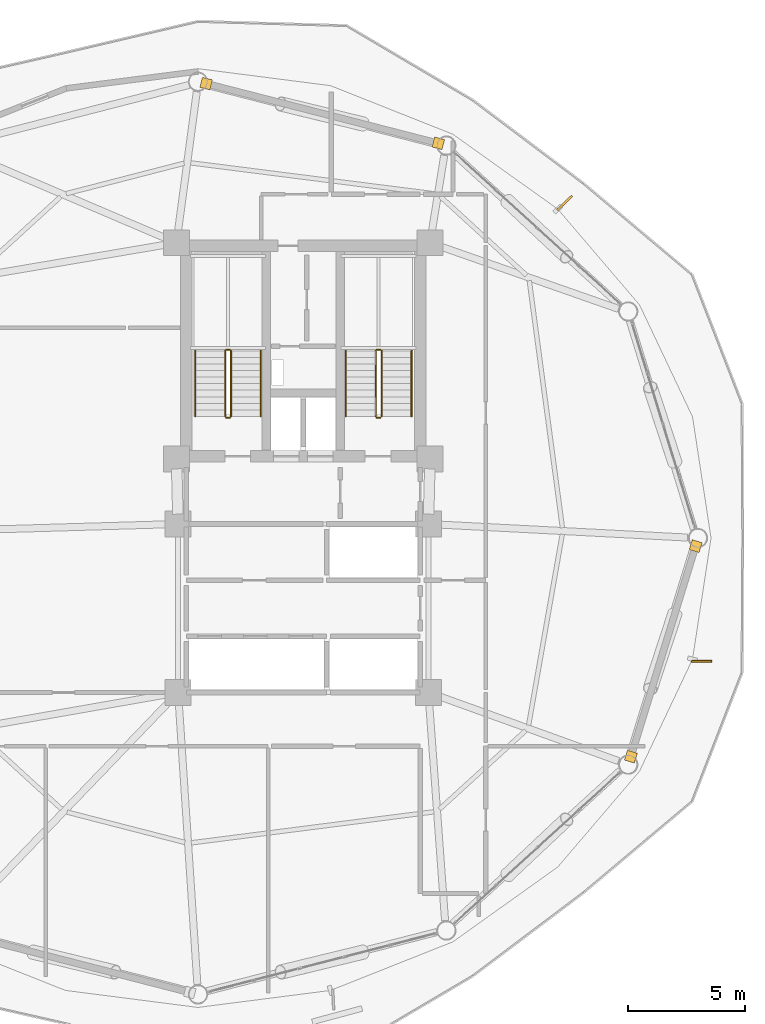
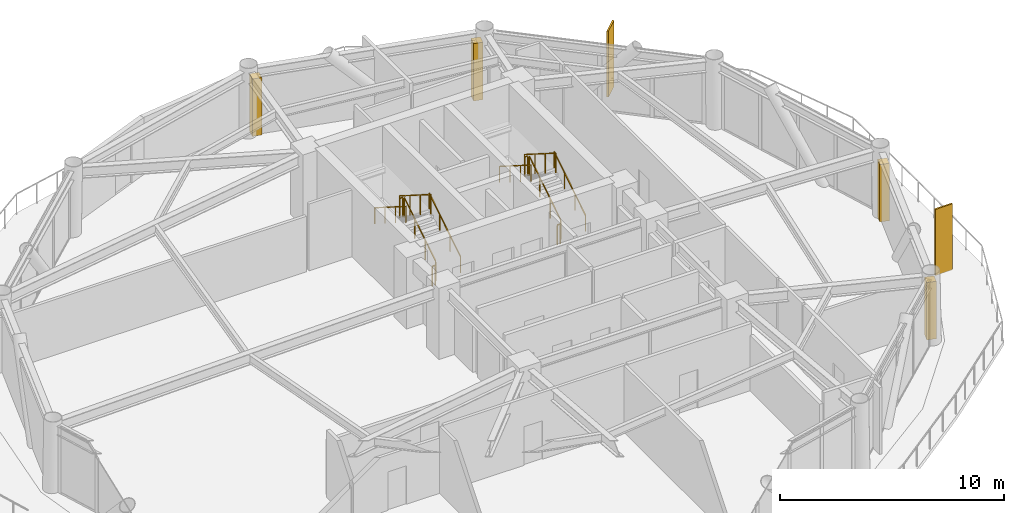
# One storey, part 23 of 23: 12 railings, 4 coverings, 2 shading devices.
"""IFC4 building model written with IfcOpenShell, lengths in metres."""

from ifc_helpers import new_model, si_unit, direction, frame, origin, origin_2d, place, context, subcontext, project, spatial, rectangle, extrude, source, transform, mapped, material, layer, layer_set, type_object, type_shapes, element, save


model = new_model("IFC4")

# Units and contexts
model_context = context("Model", 3, precision=1e-05, world=origin(), true_north=direction((0.0, 1.0)))
body_context = subcontext(model_context, "Body", "Model", "MODEL_VIEW")
ifc_project = project(units=[si_unit("LENGTHUNIT", "METRE"), si_unit("AREAUNIT", "SQUARE_METRE"), si_unit("VOLUMEUNIT", "CUBIC_METRE"), si_unit("PLANEANGLEUNIT", "RADIAN"), si_unit("MASSUNIT", "GRAM", prefix="KILO")], contexts=[model_context])

# Site, building, storey
site_placement = place(None, origin())
site = spatial("IfcSite", under=ifc_project, at=site_placement, CompositionType="ELEMENT")
building_placement = place(site_placement, origin())
building = spatial("IfcBuilding", under=site, at=building_placement, Name="Varnakorn Sky Granary", CompositionType="ELEMENT")
storey_placement = place(building_placement, frame((0.0, 0.0, 114.89990234375)))
storey = spatial("IfcBuildingStorey", under=building, at=storey_placement, Name="L28", CompositionType="ELEMENT", Elevation=114.89990234375)

# Railings
ifc_material_1 = material(Name="Brushed Stainless Steel 316", Category="steel")
railing_type_1 = type_object("IfcRailingType", Name="RL-STAIR-1100", PredefinedType="GUARDRAIL", material=ifc_material_1)
railing_1_placement = place(storey_placement, frame((-0.090087890625, 5.199951171875, 0.177490234375)))
element("IfcRailing", 1, at=railing_1_placement, inside=storey, type_object=railing_type_1, Name="L28 ST-1 stair guard 1", PredefinedType="GUARDRAIL", context=body_context, shape_type="SweptSolid", body=[
    extrude(rectangle(XDim=0.048095703125, YDim=0.048095703125, at=origin_2d()), frame((0.0, 0.0, 1.076171875), z_axis=(0.0, 0.844908973607, 0.534910110503), x_axis=(-1.0, 0.0, 0.0)), (0.0, 0.0, 1.0), 3.31396484375),
    extrude(rectangle(XDim=0.0419921875, YDim=0.0419921875, at=origin_2d()), origin(), (0.0, 0.0, 1.0), 1.048095703125),
    extrude(rectangle(XDim=0.0419921875, YDim=0.0419921875, at=origin_2d()), frame((0.0, 0.933349609375, 0.5908203125)), (0.0, 0.0, 1.0), 1.048095703125),
    extrude(rectangle(XDim=0.0419921875, YDim=0.0419921875, at=origin_2d()), frame((0.0, 1.86669921875, 1.181884765625)), (0.0, 0.0, 1.0), 1.048095703125),
    extrude(rectangle(XDim=0.0419921875, YDim=0.0419921875, at=origin_2d()), frame((0.0, 2.800048828125, 1.772705078125)), (0.0, 0.0, 1.0), 1.048095703125),
])
railing_2_placement = place(storey_placement, frame((-0.139892578125, 8.050048828125, 1.9501953125)))
element("IfcRailing", 2, at=railing_2_placement, inside=storey, type_object=railing_type_1, Name="L28 ST-1 stair guard 2", PredefinedType="GUARDRAIL", context=body_context, shape_type="SweptSolid", body=[
    extrude(rectangle(XDim=0.048095703125, YDim=0.048095703125, at=origin_2d()), frame((0.0, 0.0, 1.076171875), z_axis=(-1.0, 0.0, 0.0), x_axis=(0.0, -1.0, 0.0)), (0.0, 0.0, 1.0), 0.150146484375),
    extrude(rectangle(XDim=0.0419921875, YDim=0.0419921875, at=origin_2d()), origin(), (0.0, 0.0, 1.0), 1.048095703125),
    extrude(rectangle(XDim=0.0419921875, YDim=0.0419921875, at=origin_2d()), frame((-0.150146484375, 0.0, 0.0)), (0.0, 0.0, 1.0), 1.048095703125),
])
railing_3_placement = place(storey_placement, frame((-0.340087890625, 8.0, 2.12744140625)))
element("IfcRailing", 3, at=railing_3_placement, inside=storey, type_object=railing_type_1, Name="L28 ST-1 stair guard 3", PredefinedType="GUARDRAIL", context=body_context, shape_type="SweptSolid", body=[
    extrude(rectangle(XDim=0.048095703125, YDim=0.048095703125, at=origin_2d()), frame((0.0, 0.0, 1.076171875), z_axis=(0.0, -0.844908973607, 0.534910110503), x_axis=(1.0, 0.0, 0.0)), (0.0, 0.0, 1.0), 3.31396484375),
    extrude(rectangle(XDim=0.0419921875, YDim=0.0419921875, at=origin_2d()), origin(), (0.0, 0.0, 1.0), 1.048095703125),
    extrude(rectangle(XDim=0.0419921875, YDim=0.0419921875, at=origin_2d()), frame((0.0, -0.933349609375, 0.5908203125)), (0.0, 0.0, 1.0), 1.048095703125),
    extrude(rectangle(XDim=0.0419921875, YDim=0.0419921875, at=origin_2d()), frame((0.0, -1.86669921875, 1.181884765625)), (0.0, 0.0, 1.0), 1.048095703125),
    extrude(rectangle(XDim=0.0419921875, YDim=0.0419921875, at=origin_2d()), frame((0.0, -2.800048828125, 1.772705078125)), (0.0, 0.0, 1.0), 1.048095703125),
])
railing_4_placement = place(storey_placement, frame((-0.139892578125, 5.14990234375, 0.0)))
element("IfcRailing", 4, at=railing_4_placement, inside=storey, type_object=railing_type_1, Name="L28 ST-1 stair guard 4", PredefinedType="GUARDRAIL", context=body_context, shape_type="SweptSolid", body=[
    extrude(rectangle(XDim=0.048095703125, YDim=0.048095703125, at=origin_2d()), frame((0.0, 0.0, 1.076171875), z_axis=(-1.0, 0.0, 0.0), x_axis=(0.0, -1.0, 0.0)), (0.0, 0.0, 1.0), 0.150146484375),
    extrude(rectangle(XDim=0.0419921875, YDim=0.0419921875, at=origin_2d()), origin(), (0.0, 0.0, 1.0), 1.048095703125),
    extrude(rectangle(XDim=0.0419921875, YDim=0.0419921875, at=origin_2d()), frame((-0.150146484375, 0.0, 0.0)), (0.0, 0.0, 1.0), 1.048095703125),
])
railing_5_placement = place(storey_placement, frame((6.35009765625, 5.199951171875, 0.177490234375)))
element("IfcRailing", 5, at=railing_5_placement, inside=storey, type_object=railing_type_1, Name="L28 ST-2 stair guard 1", PredefinedType="GUARDRAIL", context=body_context, shape_type="SweptSolid", body=[
    extrude(rectangle(XDim=0.048095703125, YDim=0.048095703125, at=origin_2d()), frame((0.0, 0.0, 1.076171875), z_axis=(0.0, 0.844908973607, 0.534910110503), x_axis=(-1.0, 0.0, 0.0)), (0.0, 0.0, 1.0), 3.31396484375),
    extrude(rectangle(XDim=0.0419921875, YDim=0.0419921875, at=origin_2d()), origin(), (0.0, 0.0, 1.0), 1.048095703125),
    extrude(rectangle(XDim=0.0419921875, YDim=0.0419921875, at=origin_2d()), frame((0.0, 0.933349609375, 0.5908203125)), (0.0, 0.0, 1.0), 1.048095703125),
    extrude(rectangle(XDim=0.0419921875, YDim=0.0419921875, at=origin_2d()), frame((0.0, 1.86669921875, 1.181884765625)), (0.0, 0.0, 1.0), 1.048095703125),
    extrude(rectangle(XDim=0.0419921875, YDim=0.0419921875, at=origin_2d()), frame((0.0, 2.800048828125, 1.772705078125)), (0.0, 0.0, 1.0), 1.048095703125),
])
railing_6_placement = place(storey_placement, frame((6.300048828125, 8.050048828125, 1.9501953125)))
element("IfcRailing", 6, at=railing_6_placement, inside=storey, type_object=railing_type_1, Name="L28 ST-2 stair guard 2", PredefinedType="GUARDRAIL", context=body_context, shape_type="SweptSolid", body=[
    extrude(rectangle(XDim=0.048095703125, YDim=0.048095703125, at=origin_2d()), frame((0.0, 0.0, 1.076171875), z_axis=(-1.0, 0.0, 0.0), x_axis=(0.0, -1.0, 0.0)), (0.0, 0.0, 1.0), 0.150146484375),
    extrude(rectangle(XDim=0.0419921875, YDim=0.0419921875, at=origin_2d()), origin(), (0.0, 0.0, 1.0), 1.048095703125),
    extrude(rectangle(XDim=0.0419921875, YDim=0.0419921875, at=origin_2d()), frame((-0.150146484375, 0.0, 0.0)), (0.0, 0.0, 1.0), 1.048095703125),
])
railing_7_placement = place(storey_placement, frame((6.10009765625, 8.0, 2.12744140625)))
element("IfcRailing", 7, at=railing_7_placement, inside=storey, type_object=railing_type_1, Name="L28 ST-2 stair guard 3", PredefinedType="GUARDRAIL", context=body_context, shape_type="SweptSolid", body=[
    extrude(rectangle(XDim=0.048095703125, YDim=0.048095703125, at=origin_2d()), frame((0.0, 0.0, 1.076171875), z_axis=(0.0, -0.844908973607, 0.534910110503), x_axis=(1.0, 0.0, 0.0)), (0.0, 0.0, 1.0), 3.31396484375),
    extrude(rectangle(XDim=0.0419921875, YDim=0.0419921875, at=origin_2d()), origin(), (0.0, 0.0, 1.0), 1.048095703125),
    extrude(rectangle(XDim=0.0419921875, YDim=0.0419921875, at=origin_2d()), frame((0.0, -0.933349609375, 0.5908203125)), (0.0, 0.0, 1.0), 1.048095703125),
    extrude(rectangle(XDim=0.0419921875, YDim=0.0419921875, at=origin_2d()), frame((0.0, -1.86669921875, 1.181884765625)), (0.0, 0.0, 1.0), 1.048095703125),
    extrude(rectangle(XDim=0.0419921875, YDim=0.0419921875, at=origin_2d()), frame((0.0, -2.800048828125, 1.772705078125)), (0.0, 0.0, 1.0), 1.048095703125),
])
railing_8_placement = place(storey_placement, frame((6.300048828125, 5.14990234375, 0.0)))
element("IfcRailing", 8, at=railing_8_placement, inside=storey, type_object=railing_type_1, Name="L28 ST-2 stair guard 4", PredefinedType="GUARDRAIL", context=body_context, shape_type="SweptSolid", body=[
    extrude(rectangle(XDim=0.048095703125, YDim=0.048095703125, at=origin_2d()), frame((0.0, 0.0, 1.076171875), z_axis=(-1.0, 0.0, 0.0), x_axis=(0.0, -1.0, 0.0)), (0.0, 0.0, 1.0), 0.150146484375),
    extrude(rectangle(XDim=0.0419921875, YDim=0.0419921875, at=origin_2d()), origin(), (0.0, 0.0, 1.0), 1.048095703125),
    extrude(rectangle(XDim=0.0419921875, YDim=0.0419921875, at=origin_2d()), frame((-0.150146484375, 0.0, 0.0)), (0.0, 0.0, 1.0), 1.048095703125),
])
railing_type_2 = type_object("IfcRailingType", Name="RL-STAIR-920", PredefinedType="HANDRAIL", material=ifc_material_1)
railing_9_placement = place(storey_placement, frame((1.18994140625, 5.199951171875, 0.177490234375)))
element("IfcRailing", 9, at=railing_9_placement, inside=storey, type_object=railing_type_2, Name="L28 ST-1 stair handrail 1", PredefinedType="HANDRAIL", context=body_context, shape_type="SweptSolid", body=[
    extrude(rectangle(XDim=0.048095703125, YDim=0.048095703125, at=origin_2d()), frame((0.0, 0.0, 0.8759765625), z_axis=(0.0, 0.844908973607, 0.534910110503), x_axis=(-1.0, 0.0, 0.0)), (0.0, 0.0, 1.0), 3.31396484375),
    extrude(rectangle(XDim=0.0419921875, YDim=0.0419921875, at=origin_2d()), origin(), (0.0, 0.0, 1.0), 0.847900390625),
    extrude(rectangle(XDim=0.0419921875, YDim=0.0419921875, at=origin_2d()), frame((0.0, 0.933349609375, 0.5908203125)), (0.0, 0.0, 1.0), 0.847900390625),
    extrude(rectangle(XDim=0.0419921875, YDim=0.0419921875, at=origin_2d()), frame((0.0, 1.86669921875, 1.181884765625)), (0.0, 0.0, 1.0), 0.847900390625),
    extrude(rectangle(XDim=0.0419921875, YDim=0.0419921875, at=origin_2d()), frame((0.0, 2.800048828125, 1.772705078125)), (0.0, 0.0, 1.0), 0.847900390625),
])
railing_10_placement = place(storey_placement, frame((-1.6201171875, 8.0, 2.12744140625)))
element("IfcRailing", 10, at=railing_10_placement, inside=storey, type_object=railing_type_2, Name="L28 ST-1 stair handrail 2", PredefinedType="HANDRAIL", context=body_context, shape_type="SweptSolid", body=[
    extrude(rectangle(XDim=0.048095703125, YDim=0.048095703125, at=origin_2d()), frame((0.0, 0.0, 0.8759765625), z_axis=(0.0, -0.844908973607, 0.534910110503), x_axis=(1.0, 0.0, 0.0)), (0.0, 0.0, 1.0), 3.31396484375),
    extrude(rectangle(XDim=0.0419921875, YDim=0.0419921875, at=origin_2d()), origin(), (0.0, 0.0, 1.0), 0.847900390625),
    extrude(rectangle(XDim=0.0419921875, YDim=0.0419921875, at=origin_2d()), frame((0.0, -0.933349609375, 0.5908203125)), (0.0, 0.0, 1.0), 0.847900390625),
    extrude(rectangle(XDim=0.0419921875, YDim=0.0419921875, at=origin_2d()), frame((0.0, -1.86669921875, 1.181884765625)), (0.0, 0.0, 1.0), 0.847900390625),
    extrude(rectangle(XDim=0.0419921875, YDim=0.0419921875, at=origin_2d()), frame((0.0, -2.800048828125, 1.772705078125)), (0.0, 0.0, 1.0), 0.847900390625),
])
railing_11_placement = place(storey_placement, frame((7.6298828125, 5.199951171875, 0.177490234375)))
element("IfcRailing", 11, at=railing_11_placement, inside=storey, type_object=railing_type_2, Name="L28 ST-2 stair handrail 1", PredefinedType="HANDRAIL", context=body_context, shape_type="SweptSolid", body=[
    extrude(rectangle(XDim=0.048095703125, YDim=0.048095703125, at=origin_2d()), frame((0.0, 0.0, 0.8759765625), z_axis=(0.0, 0.844908973607, 0.534910110503), x_axis=(-1.0, 0.0, 0.0)), (0.0, 0.0, 1.0), 3.31396484375),
    extrude(rectangle(XDim=0.0419921875, YDim=0.0419921875, at=origin_2d()), origin(), (0.0, 0.0, 1.0), 0.847900390625),
    extrude(rectangle(XDim=0.0419921875, YDim=0.0419921875, at=origin_2d()), frame((0.0, 0.933349609375, 0.5908203125)), (0.0, 0.0, 1.0), 0.847900390625),
    extrude(rectangle(XDim=0.0419921875, YDim=0.0419921875, at=origin_2d()), frame((0.0, 1.86669921875, 1.181884765625)), (0.0, 0.0, 1.0), 0.847900390625),
    extrude(rectangle(XDim=0.0419921875, YDim=0.0419921875, at=origin_2d()), frame((0.0, 2.800048828125, 1.772705078125)), (0.0, 0.0, 1.0), 0.847900390625),
])
railing_12_placement = place(storey_placement, frame((4.820068359375, 8.0, 2.12744140625)))
element("IfcRailing", 12, at=railing_12_placement, inside=storey, type_object=railing_type_2, Name="L28 ST-2 stair handrail 2", PredefinedType="HANDRAIL", context=body_context, shape_type="SweptSolid", body=[
    extrude(rectangle(XDim=0.048095703125, YDim=0.048095703125, at=origin_2d()), frame((0.0, 0.0, 0.8759765625), z_axis=(0.0, -0.844908973607, 0.534910110503), x_axis=(1.0, 0.0, 0.0)), (0.0, 0.0, 1.0), 3.31396484375),
    extrude(rectangle(XDim=0.0419921875, YDim=0.0419921875, at=origin_2d()), origin(), (0.0, 0.0, 1.0), 0.847900390625),
    extrude(rectangle(XDim=0.0419921875, YDim=0.0419921875, at=origin_2d()), frame((0.0, -0.933349609375, 0.5908203125)), (0.0, 0.0, 1.0), 0.847900390625),
    extrude(rectangle(XDim=0.0419921875, YDim=0.0419921875, at=origin_2d()), frame((0.0, -1.86669921875, 1.181884765625)), (0.0, 0.0, 1.0), 0.847900390625),
    extrude(rectangle(XDim=0.0419921875, YDim=0.0419921875, at=origin_2d()), frame((0.0, -2.800048828125, 1.772705078125)), (0.0, 0.0, 1.0), 0.847900390625),
])

# Shading devices
ifc_material_2 = material(Name="Anodised Bronze Aluminium Alloy 6063-T6", Category="aluminium")
shading_device_type = type_object("IfcShadingDeviceType", Name="SH-FIN-01", PredefinedType="USERDEFINED", material=ifc_material_2)
shared_shape_1 = source(origin(), body_context, "Body", "SweptSolid", [
    extrude(rectangle(XDim=0.0849609375, YDim=0.8798828125, at=origin_2d()), origin(), (0.0, 0.0, 1.0), 3.60009765625),
])
type_shapes(shading_device_type, [shared_shape_1])
for number, where, z_axis, x_axis, name in (
    (13, (14.1806640625, 14.328125, -0.0400390625), (0.0, 0.0, 1.0), (-0.692882658253, 0.721050360163, 0.0), "Bronze Solar-Tracking Vertical Blade FIN L28-02"),
    (14, (20.031494140625, -5.274658203125, -0.0400390625), (0.0, 0.0, 1.0), (-0.007384438352, 0.999972734663, 0.0), "Bronze Solar-Tracking Vertical Blade FIN L28-12"),
):
    element("IfcShadingDevice", number, at=place(storey_placement, frame(where, z_axis=z_axis, x_axis=x_axis)), inside=storey, type_object=shading_device_type, Name=name, ObjectType="FIN", PredefinedType="USERDEFINED", context=body_context, shape_type="MappedRepresentation", body=[
        mapped(shared_shape_1, transform((0.0, 0.0, 0.0), x_axis=(1.0, 0.0, 0.0), y_axis=(0.0, 1.0, 0.0), z_axis=(0.0, 0.0, 1.0), scale=1.0)),
    ])

# Coverings
ifc_layer = layer(ifc_material_2, 0.050048828125, Name="Anodised Bronze Aluminium Alloy 6063-T6")
ifc_layer_set = layer_set([ifc_layer], Name="Anodised Bronze Aluminium Alloy 6063-T6")
covering_type = type_object("IfcCoveringType", Name="CV-CLAD-50", PredefinedType="CLADDING", material=ifc_layer_set)
shared_shape_2 = source(origin(), body_context, "Body", "SweptSolid", [
    extrude(rectangle(XDim=0.43994140625, YDim=0.43994140625, at=origin_2d()), origin(), (0.0, 0.0, 1.0), 3.1298828125),
])
type_shapes(covering_type, [shared_shape_2])
for number, where, z_axis, x_axis, name in (
    (15, (-1.14990234375, 19.427001953125, -0.019775390625), (0.0, 0.0, 1.0), (0.968496292974, -0.249027971312, 0.0), "Bronze Corner Pilaster Closure L28-P03-A"),
    (16, (8.77392578125, 16.875244140625, -0.019775390625), (0.0, 0.0, 1.0), (0.968496292974, -0.249027971312, 0.0), "Bronze Corner Pilaster Closure L28-P03-B"),
    (17, (19.776611328125, -0.345458984375, -0.019775390625), (0.0, 0.0, 1.0), (-0.294040325232, -0.955793014798, 0.0), "Bronze Corner Pilaster Closure L28-P12-A"),
    (18, (17.007568359375, -9.345458984375, -0.019775390625), (0.0, 0.0, 1.0), (-0.294040325232, -0.955793014798, 0.0), "Bronze Corner Pilaster Closure L28-P12-B"),
):
    element("IfcCovering", number, at=place(storey_placement, frame(where, z_axis=z_axis, x_axis=x_axis)), inside=storey, type_object=covering_type, Name=name, PredefinedType="CLADDING", context=body_context, shape_type="MappedRepresentation", body=[
        mapped(shared_shape_2, transform((0.0, 0.0, 0.0), x_axis=(1.0, 0.0, 0.0), y_axis=(0.0, 1.0, 0.0), z_axis=(0.0, 0.0, 1.0), scale=1.0)),
    ])

save(model, "model.ifc")
